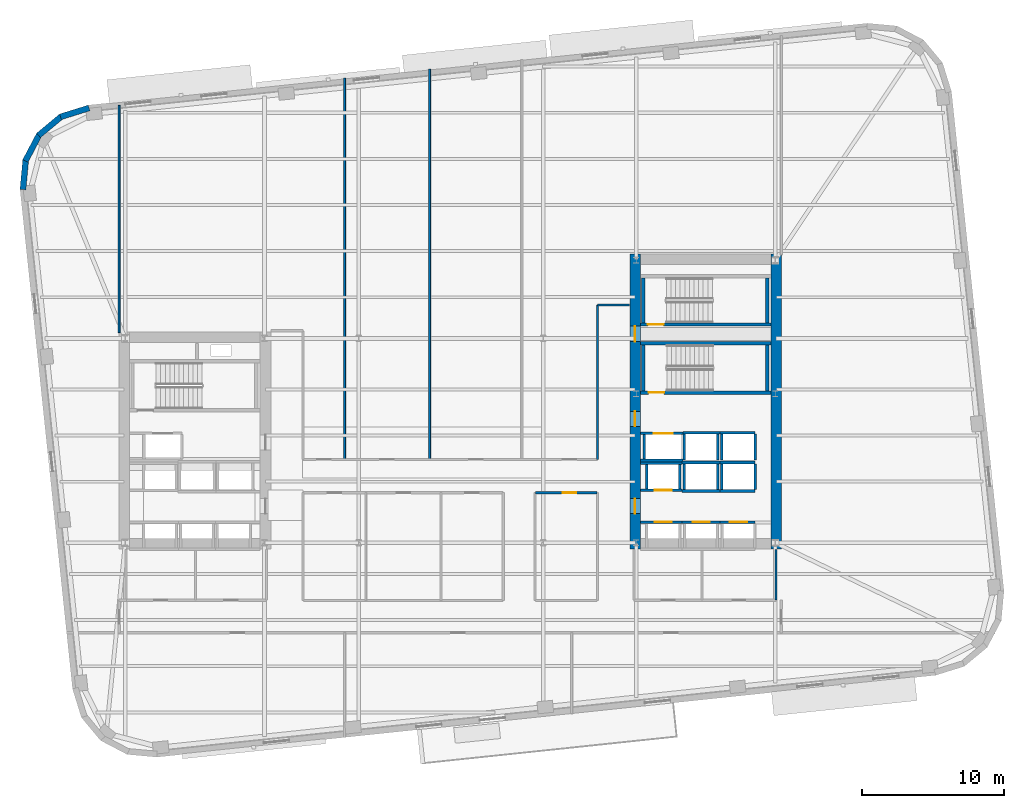
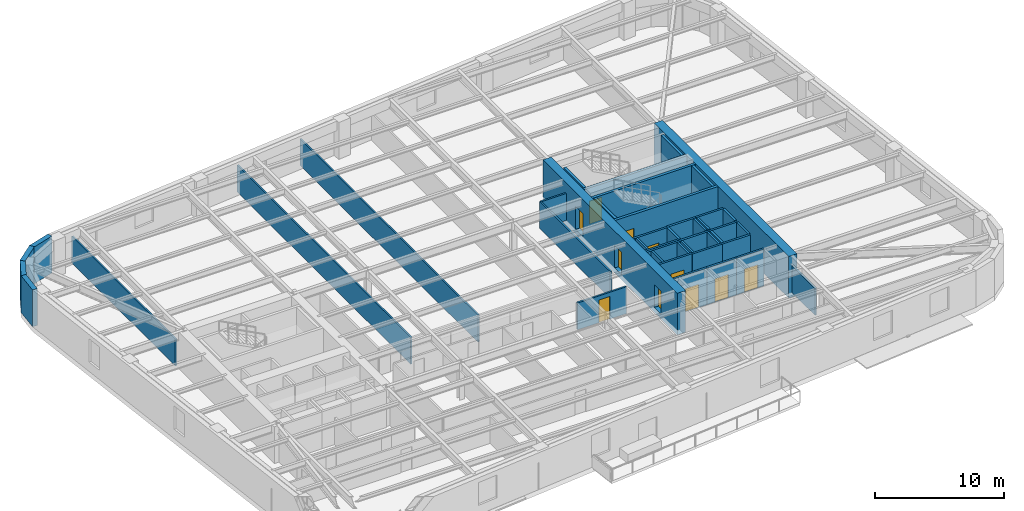
# One storey, part 6 of 11: 44 walls, 11 doors, 11 openings.
"""IFC4 building model written with IfcOpenShell, lengths in metres."""

from ifc_helpers import new_model, si_unit, direction, frame, frame_2d, origin, place, context, subcontext, project, spatial, rectangle, extrude, material, layer, layer_set, type_object, element, fill, save


model = new_model("IFC4")

# Units and contexts
model_context = context("Model", 3, precision=1e-05, world=origin(), true_north=direction((0.0, 1.0)))
body_context = subcontext(model_context, "Body", "Model", "MODEL_VIEW")
ifc_project = project(units=[si_unit("LENGTHUNIT", "METRE"), si_unit("AREAUNIT", "SQUARE_METRE"), si_unit("VOLUMEUNIT", "CUBIC_METRE"), si_unit("PLANEANGLEUNIT", "RADIAN"), si_unit("MASSUNIT", "GRAM", prefix="KILO")], contexts=[model_context])

# Site, building, storey
site_placement = place(None, origin())
site = spatial("IfcSite", under=ifc_project, at=site_placement, CompositionType="ELEMENT")
building_placement = place(site_placement, origin())
building = spatial("IfcBuilding", under=site, at=building_placement, Name="Kolvaren Arena Tower", CompositionType="ELEMENT")
storey_placement = place(building_placement, frame((0.0, 0.0, 99.699951171875)))
storey = spatial("IfcBuildingStorey", under=building, at=storey_placement, Name="L22", CompositionType="ELEMENT", Elevation=99.699951171875)

# Wall, opening, door
ifc_material_1 = material(Name="Gypsum board acoustic assembly", Category="gypsum")
ifc_layer_1 = layer(ifc_material_1, 0.159912109375)
ifc_layer_set_1 = layer_set([ifc_layer_1], Name="Gypsum board acoustic assembly")
wall_type_1 = type_object("IfcWallType", Name="CORR-160", PredefinedType="PARTITIONING", material=ifc_layer_set_1)
wall_1_placement = place(storey_placement, frame((43.43994140625, 22.97998046875, 0.0), z_axis=(0.0, 0.0, 1.0), x_axis=(1.0, 0.0, 0.0)))
wall_1 = element("IfcWall", 1, at=wall_1_placement, inside=storey, type_object=wall_type_1, Name="Interior Partition Wall (L22)", PredefinedType="PARTITIONING", context=body_context, shape_type="SweptSolid", body=[
    extrude(rectangle(XDim=4.360107421875, YDim=0.159912109375, at=frame_2d((2.18017578125, 0.0))), origin(), (0.0, 0.0, 1.0), 2.5400390625),
])
opening_1_placement = place(wall_1_placement, frame((1.93505859375, 0.0, 0.0)))
opening_1 = element("IfcOpeningElement", 2, at=opening_1_placement, cuts=wall_1, Name="Opening D05", PredefinedType="OPENING", context=body_context, shape_type="SweptSolid", body=[
    extrude(rectangle(XDim=0.949951171875, YDim=2.14990234375, at=frame_2d((0.47509765625, 1.074951171875))), frame((0.0, 0.08984375, 0.0), z_axis=(0.0, -1.0, 0.0), x_axis=(1.0, 0.0, 0.0)), (0.0, 0.0, 1.0), 0.179931640625),
])
ifc_material_2 = material(Name="Solid-core oak acoustic office door", Category="wood")
door_type_1 = type_object("IfcDoorType", Name="DOOR-OF-095", OperationType="NOTDEFINED", PredefinedType="DOOR", material=ifc_material_2)
door_1_placement = place(opening_1_placement, origin())
door_1 = element("IfcDoor", 3, at=door_1_placement, inside=storey, type_object=door_type_1, Name="Breakout Pantry and Kitchen Door (L22)", OperationType="SINGLE_SWING_RIGHT", OverallHeight=2.14990234375, OverallWidth=0.949951171875, PredefinedType="DOOR", context=body_context, shape_type="SweptSolid", body=[
    extrude(rectangle(XDim=0.949951171875, YDim=2.14990234375, at=frame_2d((0.47509765625, 1.074951171875))), frame((0.0, 0.02490234375, 0.0), z_axis=(0.0, -1.0, 0.0), x_axis=(1.0, 0.0, 0.0)), (0.0, 0.0, 1.0), 0.050048828125),
])
fill(opening_1, door_1)

# Walls
wall_2_placement = place(storey_placement, frame((47.820068359375, 25.320068359375, 0.0), z_axis=(0.0, 0.0, 1.0), x_axis=(0.0, 1.0, 0.0)))
element("IfcWall", 4, at=wall_2_placement, inside=storey, type_object=wall_type_1, Name="Interior Partition Wall (L22)", PredefinedType="PARTITIONING", context=body_context, shape_type="SweptSolid", body=[
    extrude(rectangle(XDim=10.8798828125, YDim=0.159912109375, at=frame_2d((5.43994140625, 0.0))), origin(), (0.0, 0.0, 1.0), 2.5400390625),
])
wall_3_placement = place(storey_placement, frame((47.820068359375, 36.199951171875, 0.0), z_axis=(0.0, 0.0, 1.0), x_axis=(1.0, 0.0, 0.0)))
element("IfcWall", 5, at=wall_3_placement, inside=storey, type_object=wall_type_1, Name="Interior Partition Wall (L22)", PredefinedType="PARTITIONING", context=body_context, shape_type="SweptSolid", body=[
    extrude(rectangle(XDim=2.260009765625, YDim=0.159912109375, at=frame_2d((1.1298828125, 0.0))), origin(), (0.0, 0.0, 1.0), 2.5400390625),
])

# Wall, openings, doors
ifc_material_3 = material(Name="Concrete 70 MPa", Category="concrete")
ifc_layer_2 = layer(ifc_material_3, 0.75)
ifc_layer_set_2 = layer_set([ifc_layer_2], Name="Concrete 70 MPa")
wall_type_2 = type_object("IfcWallType", Name="CWALL-750", PredefinedType="SHEAR", material=ifc_layer_set_2)
wall_4_placement = place(storey_placement, frame((50.47509765625, 19.0, -0.449951171875), z_axis=(0.0, 0.0, 1.0), x_axis=(0.0, 1.0, 0.0)))
wall_4 = element("IfcWall", 6, at=wall_4_placement, inside=storey, type_object=wall_type_2, Name="Core Shear Wall EC-WEST (L22)", PredefinedType="SHEAR", context=body_context, shape_type="SweptSolid", body=[
    extrude(rectangle(XDim=20.800048828125, YDim=0.75, at=frame_2d((10.39990234375, 0.0))), origin(), (0.0, 0.0, 1.0), 3.929931640625),
])
opening_2_placement = place(wall_4_placement, frame((2.5, 0.0, 0.449951171875)))
opening_2 = element("IfcOpeningElement", 7, at=opening_2_placement, cuts=wall_4, Name="Opening D04", PredefinedType="OPENING", context=body_context, shape_type="SweptSolid", body=[
    extrude(rectangle(XDim=1.050048828125, YDim=2.14990234375, at=frame_2d((0.52490234375, 1.074951171875))), frame((0.0, 0.385009765625, 0.0), z_axis=(0.0, -1.0, 0.0), x_axis=(1.0, 0.0, 0.0)), (0.0, 0.0, 1.0), 0.77001953125),
])
opening_3_placement = place(wall_4_placement, frame((8.64990234375, 0.0, 0.449951171875)))
opening_3 = element("IfcOpeningElement", 8, at=opening_3_placement, cuts=wall_4, Name="Opening D04", PredefinedType="OPENING", context=body_context, shape_type="SweptSolid", body=[
    extrude(rectangle(XDim=1.050048828125, YDim=2.14990234375, at=frame_2d((0.52490234375, 1.074951171875))), frame((0.0, 0.385009765625, 0.0), z_axis=(0.0, -1.0, 0.0), x_axis=(1.0, 0.0, 0.0)), (0.0, 0.0, 1.0), 0.77001953125),
])
opening_4_placement = place(wall_4_placement, frame((14.6201171875, 0.0, 0.449951171875)))
opening_4 = element("IfcOpeningElement", 9, at=opening_4_placement, cuts=wall_4, Name="Opening D03", PredefinedType="OPENING", context=body_context, shape_type="SweptSolid", body=[
    extrude(rectangle(XDim=1.10009765625, YDim=2.14990234375, at=frame_2d((0.550048828125, 1.074951171875))), frame((0.0, 0.385009765625, 0.0), z_axis=(0.0, -1.0, 0.0), x_axis=(1.0, 0.0, 0.0)), (0.0, 0.0, 1.0), 0.77001953125),
])
ifc_material_4 = material(Name="Fire-rated steel lobby door", Category="steel")
door_type_2 = type_object("IfcDoorType", Name="DOOR-FF-105", OperationType="NOTDEFINED", PredefinedType="DOOR", material=ifc_material_4)
door_2_placement = place(opening_2_placement, origin())
door_2 = element("IfcDoor", 10, at=door_2_placement, inside=storey, type_object=door_type_2, Name="East Lift Lobby Fire Door (L22)", OperationType="SINGLE_SWING_RIGHT", OverallHeight=2.14990234375, OverallWidth=1.050048828125, PredefinedType="DOOR", context=body_context, shape_type="SweptSolid", body=[
    extrude(rectangle(XDim=1.050048828125, YDim=2.14990234375, at=frame_2d((0.52490234375, 1.074951171875))), frame((0.0, 0.02490234375, 0.0), z_axis=(0.0, -1.0, 0.0), x_axis=(1.0, 0.0, 0.0)), (0.0, 0.0, 1.0), 0.050048828125),
])
fill(opening_2, door_2)
door_3_placement = place(opening_3_placement, origin())
door_3 = element("IfcDoor", 11, at=door_3_placement, inside=storey, type_object=door_type_2, Name="East Firefighter Vestibule Door (L22)", OperationType="SINGLE_SWING_LEFT", OverallHeight=2.14990234375, OverallWidth=1.050048828125, PredefinedType="DOOR", context=body_context, shape_type="SweptSolid", body=[
    extrude(rectangle(XDim=1.050048828125, YDim=2.14990234375, at=frame_2d((0.52490234375, 1.074951171875))), frame((0.0, 0.02490234375, 0.0), z_axis=(0.0, -1.0, 0.0), x_axis=(1.0, 0.0, 0.0)), (0.0, 0.0, 1.0), 0.050048828125),
])
fill(opening_3, door_3)
ifc_material_5 = material(Name="Fire-rated steel exit stair door", Category="steel")
door_type_3 = type_object("IfcDoorType", Name="DOOR-ST-110", OperationType="NOTDEFINED", PredefinedType="DOOR", material=ifc_material_5)
door_4_placement = place(opening_4_placement, origin())
door_4 = element("IfcDoor", 12, at=door_4_placement, inside=storey, type_object=door_type_3, Name="Stair ST-E2 Vestibule Fire Door (L22)", OperationType="SINGLE_SWING_LEFT", OverallHeight=2.14990234375, OverallWidth=1.10009765625, PredefinedType="DOOR", context=body_context, shape_type="SweptSolid", body=[
    extrude(rectangle(XDim=1.10009765625, YDim=2.14990234375, at=frame_2d((0.550048828125, 1.074951171875))), frame((0.0, 0.02490234375, 0.0), z_axis=(0.0, -1.0, 0.0), x_axis=(1.0, 0.0, 0.0)), (0.0, 0.0, 1.0), 0.050048828125),
])
fill(opening_4, door_4)

# Walls
wall_5_placement = place(storey_placement, frame((60.425048828125, 19.0, -0.449951171875), z_axis=(0.0, 0.0, 1.0), x_axis=(0.0, 1.0, 0.0)))
element("IfcWall", 13, at=wall_5_placement, inside=storey, type_object=wall_type_2, Name="Core Shear Wall EC-EAST (L22)", PredefinedType="SHEAR", context=body_context, shape_type="SweptSolid", body=[
    extrude(rectangle(XDim=20.800048828125, YDim=0.75, at=frame_2d((10.39990234375, 0.0))), origin(), (0.0, 0.0, 1.0), 3.929931640625),
])
ifc_material_6 = material(Name="Precast concrete C50/60", Category="concrete")
ifc_layer_3 = layer(ifc_material_6, 0.419921875)
ifc_layer_set_3 = layer_set([ifc_layer_3], Name="Precast concrete C50/60")
wall_type_3 = type_object("IfcWallType", Name="EXT-PIER1", PredefinedType="SOLIDWALL", material=ifc_layer_set_3)
wall_6_placement = place(storey_placement, frame((9.98681640625, 49.463134765625, 0.0), z_axis=(0.0, 0.0, 1.0), x_axis=(0.955016613791, 0.296552301261, 0.0)))
element("IfcWall", 14, at=wall_6_placement, inside=storey, type_object=wall_type_3, Name="Exterior Precast Masonry-Frame Wall (L22)", PredefinedType="SOLIDWALL", context=body_context, shape_type="SweptSolid", body=[
    extrude(rectangle(XDim=2.106689453125, YDim=0.419921875, at=frame_2d((1.05322265625, 0.0))), origin(), (0.0, 0.0, 1.0), 3.47998046875),
])
wall_7_placement = place(storey_placement, frame((8.438720703125, 48.15478515625, 0.0), z_axis=(0.0, 0.0, 1.0), x_axis=(0.768800317178, 0.639488914921, 0.0)))
element("IfcWall", 15, at=wall_7_placement, inside=storey, type_object=wall_type_3, Name="Exterior Precast Masonry-Frame Wall (L22)", PredefinedType="SOLIDWALL", context=body_context, shape_type="SweptSolid", body=[
    extrude(rectangle(XDim=2.10693359375, YDim=0.419921875, at=frame_2d((1.053466796875, 0.0))), origin(), (0.0, 0.0, 1.0), 3.47998046875),
])
wall_8_placement = place(storey_placement, frame((7.50927734375, 46.35400390625, 0.0), z_axis=(0.0, 0.0, 1.0), x_axis=(0.465612698516, 0.884988595961, 0.0)))
element("IfcWall", 16, at=wall_8_placement, inside=storey, type_object=wall_type_3, Name="Exterior Precast Masonry-Frame Wall (L22)", PredefinedType="SOLIDWALL", context=body_context, shape_type="SweptSolid", body=[
    extrude(rectangle(XDim=2.106689453125, YDim=0.419921875, at=frame_2d((1.05322265625, 0.0))), origin(), (0.0, 0.0, 1.0), 3.47998046875),
])
wall_9_placement = place(storey_placement, frame((7.339599609375, 44.33447265625, 0.0), z_axis=(0.0, 0.0, 1.0), x_axis=(0.091538655308, 0.995801523691, 0.0)))
element("IfcWall", 17, at=wall_9_placement, inside=storey, type_object=wall_type_3, Name="Exterior Precast Masonry-Frame Wall (L22)", PredefinedType="SOLIDWALL", context=body_context, shape_type="SweptSolid", body=[
    extrude(rectangle(XDim=2.10693359375, YDim=0.419921875, at=frame_2d((1.053466796875, 0.0))), origin(), (0.0, 0.0, 1.0), 3.47998046875),
])
ifc_material_7 = material(Name="Gypsum board partition assembly", Category="gypsum")
ifc_layer_4 = layer(ifc_material_7, 0.135009765625)
ifc_layer_set_4 = layer_set([ifc_layer_4], Name="Gypsum board partition assembly")
wall_type_4 = type_object("IfcWallType", Name="PART-135", PredefinedType="PARTITIONING", material=ifc_layer_set_4)
wall_10_placement = place(storey_placement, frame((30.0, 25.320068359375, 0.0), z_axis=(0.0, 0.0, 1.0), x_axis=(0.0, 1.0, 0.0)))
element("IfcWall", 18, at=wall_10_placement, inside=storey, type_object=wall_type_4, Name="Interior Partition Wall (L22)", PredefinedType="PARTITIONING", context=body_context, shape_type="SweptSolid", body=[
    extrude(rectangle(XDim=26.866943359375, YDim=0.135009765625, at=frame_2d((13.43359375, 0.0))), origin(), (0.0, 0.0, 1.0), 2.5400390625),
])
wall_11_placement = place(storey_placement, frame((36.0, 25.320068359375, 0.0), z_axis=(0.0, 0.0, 1.0), x_axis=(0.0, 1.0, 0.0)))
element("IfcWall", 19, at=wall_11_placement, inside=storey, type_object=wall_type_4, Name="Interior Partition Wall (L22)", PredefinedType="PARTITIONING", context=body_context, shape_type="SweptSolid", body=[
    extrude(rectangle(XDim=27.49755859375, YDim=0.135009765625, at=frame_2d((13.748779296875, 0.0))), origin(), (0.0, 0.0, 1.0), 2.5400390625),
])
wall_12_placement = place(storey_placement, frame((14.1201171875, 34.25, 0.0), z_axis=(0.0, 0.0, 1.0), x_axis=(0.0, 1.0, 0.0)))
element("IfcWall", 20, at=wall_12_placement, inside=storey, type_object=wall_type_4, Name="Interior Partition Wall (L22)", PredefinedType="PARTITIONING", context=body_context, shape_type="SweptSolid", body=[
    extrude(rectangle(XDim=16.026611328125, YDim=0.135009765625, at=frame_2d((8.01318359375, 0.0))), origin(), (0.0, 0.0, 1.0), 2.5400390625),
])

# Wall, opening, door
ifc_material_8 = material(Name="Concrete 45 MPa", Category="concrete")
ifc_layer_5 = layer(ifc_material_8, 0.25)
ifc_layer_set_5 = layer_set([ifc_layer_5], Name="Concrete 45 MPa")
wall_type_5 = type_object("IfcWallType", Name="SHAFT-250", PredefinedType="SOLIDWALL", material=ifc_layer_set_5)
wall_13_placement = place(storey_placement, frame((60.050048828125, 30.030029296875, 0.0), z_axis=(0.0, 0.0, 1.0), x_axis=(-1.0, 0.0, 0.0)))
wall_13 = element("IfcWall", 21, at=wall_13_placement, inside=storey, type_object=wall_type_5, Name="Core Shaft Wall (L22)", PredefinedType="SOLIDWALL", context=body_context, shape_type="SweptSolid", body=[
    extrude(rectangle(XDim=9.199951171875, YDim=0.239990234375, at=frame_2d((4.60009765625, 0.0))), origin(), (0.0, 0.0, 1.0), 3.47998046875),
])
opening_5_placement = place(wall_13_placement, frame((7.530029296875, 0.0, 0.0)))
opening_5 = element("IfcOpeningElement", 22, at=opening_5_placement, cuts=wall_13, Name="Opening D03", PredefinedType="OPENING", context=body_context, shape_type="SweptSolid", body=[
    extrude(rectangle(XDim=1.10009765625, YDim=2.14990234375, at=frame_2d((0.550048828125, 1.074951171875))), frame((0.0, 0.1298828125, 0.0), z_axis=(0.0, -1.0, 0.0), x_axis=(1.0, 0.0, 0.0)), (0.0, 0.0, 1.0), 0.260009765625),
])
door_5_placement = place(opening_5_placement, origin())
door_5 = element("IfcDoor", 23, at=door_5_placement, inside=storey, type_object=door_type_3, Name="Stair ST-E1 Fire Door (L22)", OperationType="SINGLE_SWING_LEFT", OverallHeight=2.14990234375, OverallWidth=1.10009765625, PredefinedType="DOOR", context=body_context, shape_type="SweptSolid", body=[
    extrude(rectangle(XDim=1.10009765625, YDim=2.14990234375, at=frame_2d((0.550048828125, 1.074951171875))), frame((0.0, 0.02490234375, 0.0), z_axis=(0.0, -1.0, 0.0), x_axis=(1.0, 0.0, 0.0)), (0.0, 0.0, 1.0), 0.050048828125),
])
fill(opening_5, door_5)

# Walls
wall_14_placement = place(storey_placement, frame((50.85009765625, 33.5, 0.0), z_axis=(0.0, 0.0, 1.0), x_axis=(1.0, 0.0, 0.0)))
element("IfcWall", 24, at=wall_14_placement, inside=storey, type_object=wall_type_5, Name="Core Shaft Wall (L22)", PredefinedType="SOLIDWALL", context=body_context, shape_type="SweptSolid", body=[
    extrude(rectangle(XDim=9.199951171875, YDim=0.239990234375, at=frame_2d((4.60009765625, 0.0))), origin(), (0.0, 0.0, 1.0), 3.47998046875),
])
for number, where, z_axis, x_axis, name in (
    (25, (51.06005859375, 30.14990234375, 0.0), (0.0, 0.0, 1.0), (0.0, 1.0, 0.0), "Core Shaft Wall (L22)"),
    (26, (59.780029296875, 30.14990234375, 0.0), (0.0, 0.0, 1.0), (0.0, 1.0, 0.0), "Core Shaft Wall (L22)"),
):
    element("IfcWall", number, at=place(storey_placement, frame(where, z_axis=z_axis, x_axis=x_axis)), inside=storey, type_object=wall_type_5, Name=name, PredefinedType="SOLIDWALL", context=body_context, shape_type="SweptSolid", body=[
        extrude(rectangle(XDim=3.22998046875, YDim=0.239990234375, at=frame_2d((1.614990234375, 0.0))), origin(), (0.0, 0.0, 1.0), 3.47998046875),
    ])

# Wall, opening, door
wall_15_placement = place(storey_placement, frame((60.050048828125, 34.830078125, 0.0), z_axis=(0.0, 0.0, 1.0), x_axis=(-1.0, 0.0, 0.0)))
wall_15 = element("IfcWall", 27, at=wall_15_placement, inside=storey, type_object=wall_type_5, Name="Core Shaft Wall (L22)", PredefinedType="SOLIDWALL", context=body_context, shape_type="SweptSolid", body=[
    extrude(rectangle(XDim=9.199951171875, YDim=0.239990234375, at=frame_2d((4.60009765625, 0.0))), origin(), (0.0, 0.0, 1.0), 3.47998046875),
])
opening_6_placement = place(wall_15_placement, frame((7.570068359375, 0.0, 0.0)))
opening_6 = element("IfcOpeningElement", 28, at=opening_6_placement, cuts=wall_15, Name="Opening D03", PredefinedType="OPENING", context=body_context, shape_type="SweptSolid", body=[
    extrude(rectangle(XDim=1.10009765625, YDim=2.14990234375, at=frame_2d((0.550048828125, 1.074951171875))), frame((0.0, 0.1298828125, 0.0), z_axis=(0.0, -1.0, 0.0), x_axis=(1.0, 0.0, 0.0)), (0.0, 0.0, 1.0), 0.260009765625),
])
door_6_placement = place(opening_6_placement, origin())
door_6 = element("IfcDoor", 29, at=door_6_placement, inside=storey, type_object=door_type_3, Name="Stair ST-E2 Fire Door (L22)", OperationType="SINGLE_SWING_LEFT", OverallHeight=2.14990234375, OverallWidth=1.10009765625, PredefinedType="DOOR", context=body_context, shape_type="SweptSolid", body=[
    extrude(rectangle(XDim=1.10009765625, YDim=2.14990234375, at=frame_2d((0.550048828125, 1.074951171875))), frame((0.0, 0.02490234375, 0.0), z_axis=(0.0, -1.0, 0.0), x_axis=(1.0, 0.0, 0.0)), (0.0, 0.0, 1.0), 0.050048828125),
])
fill(opening_6, door_6)

# Walls
for number, where, z_axis, x_axis, name in (
    (30, (51.06005859375, 34.949951171875, 0.0), (0.0, 0.0, 1.0), (0.0, 1.0, 0.0), "Core Shaft Wall (L22)"),
    (31, (59.780029296875, 34.949951171875, 0.0), (0.0, 0.0, 1.0), (0.0, 1.0, 0.0), "Core Shaft Wall (L22)"),
):
    element("IfcWall", number, at=place(storey_placement, frame(where, z_axis=z_axis, x_axis=x_axis)), inside=storey, type_object=wall_type_5, Name=name, PredefinedType="SOLIDWALL", context=body_context, shape_type="SweptSolid", body=[
        extrude(rectangle(XDim=3.150146484375, YDim=0.239990234375, at=frame_2d((1.5751953125, 0.0))), origin(), (0.0, 0.0, 1.0), 3.47998046875),
    ])

# Wall, opening, door
wall_16_placement = place(storey_placement, frame((50.85009765625, 20.905029296875, 0.0), z_axis=(0.0, 0.0, 1.0), x_axis=(1.0, 0.0, 0.0)))
wall_16 = element("IfcWall", 32, at=wall_16_placement, inside=storey, type_object=wall_type_5, Name="Core Shaft Wall (L22)", PredefinedType="SOLIDWALL", context=body_context, shape_type="SweptSolid", body=[
    extrude(rectangle(XDim=2.93994140625, YDim=0.179931640625, at=frame_2d((1.469970703125, 0.0))), origin(), (0.0, 0.0, 1.0), 3.47998046875),
])
opening_7_placement = place(wall_16_placement, frame((1.010009765625, 0.0, 0.0)))
opening_7 = element("IfcOpeningElement", 33, at=opening_7_placement, cuts=wall_16, Name="Opening LD1", PredefinedType="OPENING", context=body_context, shape_type="SweptSolid", body=[
    extrude(rectangle(XDim=1.199951171875, YDim=2.199951171875, at=frame_2d((0.60009765625, 1.10009765625))), frame((0.0, 0.099853515625, 0.0), z_axis=(0.0, -1.0, 0.0), x_axis=(1.0, 0.0, 0.0)), (0.0, 0.0, 1.0), 0.199951171875),
])
ifc_material_9 = material(Name="Stainless steel passenger lift landing door", Category="steel")
door_type_4 = type_object("IfcDoorType", Name="DOOR-LD-120", OperationType="DOUBLE_DOOR_SLIDING", PredefinedType="DOOR", material=ifc_material_9)
door_7_placement = place(opening_7_placement, origin())
door_7 = element("IfcDoor", 34, at=door_7_placement, inside=storey, type_object=door_type_4, Name="Lift EL-LR1 Landing Door (L22)", OperationType="DOUBLE_DOOR_SLIDING", OverallHeight=2.199951171875, OverallWidth=1.199951171875, PredefinedType="DOOR", context=body_context, shape_type="SweptSolid", body=[
    extrude(rectangle(XDim=1.199951171875, YDim=2.199951171875, at=frame_2d((0.60009765625, 1.10009765625))), frame((0.0, 0.02490234375, 0.0), z_axis=(0.0, -1.0, 0.0), x_axis=(1.0, 0.0, 0.0)), (0.0, 0.0, 1.0), 0.050048828125),
])
fill(opening_7, door_7)

wall_17_placement = place(storey_placement, frame((53.7900390625, 20.905029296875, 0.0), z_axis=(0.0, 0.0, 1.0), x_axis=(1.0, 0.0, 0.0)))
wall_17 = element("IfcWall", 35, at=wall_17_placement, inside=storey, type_object=wall_type_5, Name="Core Shaft Wall (L22)", PredefinedType="SOLIDWALL", context=body_context, shape_type="SweptSolid", body=[
    extrude(rectangle(XDim=2.64990234375, YDim=0.179931640625, at=frame_2d((1.324951171875, 0.0))), origin(), (0.0, 0.0, 1.0), 3.47998046875),
])
opening_8_placement = place(wall_17_placement, frame((0.72998046875, 0.0, 0.0)))
opening_8 = element("IfcOpeningElement", 36, at=opening_8_placement, cuts=wall_17, Name="Opening LD1", PredefinedType="OPENING", context=body_context, shape_type="SweptSolid", body=[
    extrude(rectangle(XDim=1.199951171875, YDim=2.199951171875, at=frame_2d((0.60009765625, 1.10009765625))), frame((0.0, 0.099853515625, 0.0), z_axis=(0.0, -1.0, 0.0), x_axis=(1.0, 0.0, 0.0)), (0.0, 0.0, 1.0), 0.199951171875),
])
door_8_placement = place(opening_8_placement, origin())
door_8 = element("IfcDoor", 37, at=door_8_placement, inside=storey, type_object=door_type_4, Name="Lift EL-LR2 Landing Door (L22)", OperationType="DOUBLE_DOOR_SLIDING", OverallHeight=2.199951171875, OverallWidth=1.199951171875, PredefinedType="DOOR", context=body_context, shape_type="SweptSolid", body=[
    extrude(rectangle(XDim=1.199951171875, YDim=2.199951171875, at=frame_2d((0.60009765625, 1.10009765625))), frame((0.0, 0.02490234375, 0.0), z_axis=(0.0, -1.0, 0.0), x_axis=(1.0, 0.0, 0.0)), (0.0, 0.0, 1.0), 0.050048828125),
])
fill(opening_8, door_8)

wall_18_placement = place(storey_placement, frame((56.43994140625, 20.905029296875, 0.0), z_axis=(0.0, 0.0, 1.0), x_axis=(1.0, 0.0, 0.0)))
wall_18 = element("IfcWall", 38, at=wall_18_placement, inside=storey, type_object=wall_type_5, Name="Core Shaft Wall (L22)", PredefinedType="SOLIDWALL", context=body_context, shape_type="SweptSolid", body=[
    extrude(rectangle(XDim=2.47509765625, YDim=0.179931640625, at=frame_2d((1.237548828125, 0.0))), origin(), (0.0, 0.0, 1.0), 3.47998046875),
])
opening_9_placement = place(wall_18_placement, frame((0.719970703125, 0.0, 0.0)))
opening_9 = element("IfcOpeningElement", 39, at=opening_9_placement, cuts=wall_18, Name="Opening LD1", PredefinedType="OPENING", context=body_context, shape_type="SweptSolid", body=[
    extrude(rectangle(XDim=1.199951171875, YDim=2.199951171875, at=frame_2d((0.60009765625, 1.10009765625))), frame((0.0, 0.099853515625, 0.0), z_axis=(0.0, -1.0, 0.0), x_axis=(1.0, 0.0, 0.0)), (0.0, 0.0, 1.0), 0.199951171875),
])
door_9_placement = place(opening_9_placement, origin())
door_9 = element("IfcDoor", 40, at=door_9_placement, inside=storey, type_object=door_type_4, Name="Lift EL-LR3 Landing Door (L22)", OperationType="DOUBLE_DOOR_SLIDING", OverallHeight=2.199951171875, OverallWidth=1.199951171875, PredefinedType="DOOR", context=body_context, shape_type="SweptSolid", body=[
    extrude(rectangle(XDim=1.199951171875, YDim=2.199951171875, at=frame_2d((0.60009765625, 1.10009765625))), frame((0.0, 0.02490234375, 0.0), z_axis=(0.0, -1.0, 0.0), x_axis=(1.0, 0.0, 0.0)), (0.0, 0.0, 1.0), 0.050048828125),
])
fill(opening_9, door_9)

# Wall
wall_19_placement = place(storey_placement, frame((50.85009765625, 25.054931640625, 0.0), z_axis=(0.0, 0.0, 1.0), x_axis=(1.0, 0.0, 0.0)))
element("IfcWall", 41, at=wall_19_placement, inside=storey, type_object=wall_type_5, Name="Core Shaft Wall (L22)", PredefinedType="SOLIDWALL", context=body_context, shape_type="SweptSolid", body=[
    extrude(rectangle(XDim=2.927490234375, YDim=0.179931640625, at=frame_2d((1.4638671875, 0.0))), origin(), (0.0, 0.0, 1.0), 3.47998046875),
])

# Wall, opening, door
wall_20_placement = place(storey_placement, frame((50.85009765625, 23.14501953125, 0.0), z_axis=(0.0, 0.0, 1.0), x_axis=(1.0, 0.0, 0.0)))
wall_20 = element("IfcWall", 42, at=wall_20_placement, inside=storey, type_object=wall_type_5, Name="Core Shaft Wall (L22)", PredefinedType="SOLIDWALL", context=body_context, shape_type="SweptSolid", body=[
    extrude(rectangle(XDim=2.927490234375, YDim=0.179931640625, at=frame_2d((1.4638671875, 0.0))), origin(), (0.0, 0.0, 1.0), 3.47998046875),
])
opening_10_placement = place(wall_20_placement, frame((1.010009765625, 0.0, 0.0)))
opening_10 = element("IfcOpeningElement", 43, at=opening_10_placement, cuts=wall_20, Name="Opening LD1", PredefinedType="OPENING", context=body_context, shape_type="SweptSolid", body=[
    extrude(rectangle(XDim=1.199951171875, YDim=2.199951171875, at=frame_2d((0.60009765625, 1.10009765625))), frame((0.0, 0.099853515625, 0.0), z_axis=(0.0, -1.0, 0.0), x_axis=(1.0, 0.0, 0.0)), (0.0, 0.0, 1.0), 0.199951171875),
])
door_10_placement = place(opening_10_placement, origin())
door_10 = element("IfcDoor", 44, at=door_10_placement, inside=storey, type_object=door_type_4, Name="Lift EL-LR4 Landing Door (L22)", OperationType="DOUBLE_DOOR_SLIDING", OverallHeight=2.199951171875, OverallWidth=1.199951171875, PredefinedType="DOOR", context=body_context, shape_type="SweptSolid", body=[
    extrude(rectangle(XDim=1.199951171875, YDim=2.199951171875, at=frame_2d((0.60009765625, 1.10009765625))), frame((0.0, 0.02490234375, 0.0), z_axis=(0.0, -1.0, 0.0), x_axis=(1.0, 0.0, 0.0)), (0.0, 0.0, 1.0), 0.050048828125),
])
fill(opening_10, door_10)

# Walls
for number, where, z_axis, x_axis, name in (
    (45, (51.304931640625, 23.235107421875, 0.0), (0.0, 0.0, 1.0), (0.0, 1.0, 0.0), "Core Shaft Wall (L22)"),
    (46, (53.614990234375, 23.235107421875, 0.0), (0.0, 0.0, 1.0), (0.0, 1.0, 0.0), "Core Shaft Wall (L22)"),
):
    element("IfcWall", number, at=place(storey_placement, frame(where, z_axis=z_axis, x_axis=x_axis)), inside=storey, type_object=wall_type_5, Name=name, PredefinedType="SOLIDWALL", context=body_context, shape_type="SweptSolid", body=[
        extrude(rectangle(XDim=1.72998046875, YDim=0.179931640625, at=frame_2d((0.864990234375, 0.0))), origin(), (0.0, 0.0, 1.0), 3.47998046875),
    ])
for number, where, z_axis, x_axis, name in (
    (47, (53.777587890625, 25.10498046875, 0.0), (0.0, 0.0, 1.0), (1.0, 0.0, 0.0), "Core Shaft Wall (L22)"),
    (48, (53.777587890625, 23.094970703125, 0.0), (0.0, 0.0, 1.0), (1.0, 0.0, 0.0), "Core Shaft Wall (L22)"),
):
    element("IfcWall", number, at=place(storey_placement, frame(where, z_axis=z_axis, x_axis=x_axis)), inside=storey, type_object=wall_type_5, Name=name, PredefinedType="SOLIDWALL", context=body_context, shape_type="SweptSolid", body=[
        extrude(rectangle(XDim=2.662353515625, YDim=0.179931640625, at=frame_2d((1.3310546875, 0.0))), origin(), (0.0, 0.0, 1.0), 3.47998046875),
    ])
for number, where, z_axis, x_axis, name in (
    (49, (53.93994140625, 23.18505859375, 0.0), (0.0, 0.0, 1.0), (0.0, 1.0, 0.0), "Core Shaft Wall (L22)"),
    (50, (56.300048828125, 23.18505859375, 0.0), (0.0, 0.0, 1.0), (0.0, 1.0, 0.0), "Core Shaft Wall (L22)"),
):
    element("IfcWall", number, at=place(storey_placement, frame(where, z_axis=z_axis, x_axis=x_axis)), inside=storey, type_object=wall_type_5, Name=name, PredefinedType="SOLIDWALL", context=body_context, shape_type="SweptSolid", body=[
        extrude(rectangle(XDim=1.829833984375, YDim=0.179931640625, at=frame_2d((0.9150390625, 0.0))), origin(), (0.0, 0.0, 1.0), 3.47998046875),
    ])
for number, where, z_axis, x_axis, name in (
    (51, (56.43994140625, 25.10498046875, 0.0), (0.0, 0.0, 1.0), (1.0, 0.0, 0.0), "Core Shaft Wall (L22)"),
    (52, (56.43994140625, 23.094970703125, 0.0), (0.0, 0.0, 1.0), (1.0, 0.0, 0.0), "Core Shaft Wall (L22)"),
):
    element("IfcWall", number, at=place(storey_placement, frame(where, z_axis=z_axis, x_axis=x_axis)), inside=storey, type_object=wall_type_5, Name=name, PredefinedType="SOLIDWALL", context=body_context, shape_type="SweptSolid", body=[
        extrude(rectangle(XDim=2.5, YDim=0.179931640625, at=frame_2d((1.25, 0.0))), origin(), (0.0, 0.0, 1.0), 3.47998046875),
    ])
for number, where, z_axis, x_axis, name in (
    (53, (56.580078125, 23.18505859375, 0.0), (0.0, 0.0, 1.0), (0.0, 1.0, 0.0), "Core Shaft Wall (L22)"),
    (54, (58.93994140625, 23.18505859375, 0.0), (0.0, 0.0, 1.0), (0.0, 1.0, 0.0), "Core Shaft Wall (L22)"),
):
    element("IfcWall", number, at=place(storey_placement, frame(where, z_axis=z_axis, x_axis=x_axis)), inside=storey, type_object=wall_type_5, Name=name, PredefinedType="SOLIDWALL", context=body_context, shape_type="SweptSolid", body=[
        extrude(rectangle(XDim=1.829833984375, YDim=0.179931640625, at=frame_2d((0.9150390625, 0.0))), origin(), (0.0, 0.0, 1.0), 3.47998046875),
    ])
wall_21_placement = place(storey_placement, frame((53.864990234375, 27.205078125, 0.0), z_axis=(0.0, 0.0, 1.0), x_axis=(1.0, 0.0, 0.0)))
element("IfcWall", 55, at=wall_21_placement, inside=storey, type_object=wall_type_5, Name="Core Shaft Wall (L22)", PredefinedType="SOLIDWALL", context=body_context, shape_type="SweptSolid", body=[
    extrude(rectangle(XDim=2.574951171875, YDim=0.179931640625, at=frame_2d((1.28759765625, 0.0))), origin(), (0.0, 0.0, 1.0), 3.47998046875),
])
for number, where, z_axis, x_axis, name in (
    (56, (53.93994140625, 25.284912109375, 0.0), (0.0, 0.0, 1.0), (0.0, 1.0, 0.0), "Core Shaft Wall (L22)"),
    (57, (56.300048828125, 25.284912109375, 0.0), (0.0, 0.0, 1.0), (0.0, 1.0, 0.0), "Core Shaft Wall (L22)"),
):
    element("IfcWall", number, at=place(storey_placement, frame(where, z_axis=z_axis, x_axis=x_axis)), inside=storey, type_object=wall_type_5, Name=name, PredefinedType="SOLIDWALL", context=body_context, shape_type="SweptSolid", body=[
        extrude(rectangle(XDim=1.830078125, YDim=0.179931640625, at=frame_2d((0.9150390625, 0.0))), origin(), (0.0, 0.0, 1.0), 3.47998046875),
    ])
wall_22_placement = place(storey_placement, frame((56.43994140625, 27.205078125, 0.0), z_axis=(0.0, 0.0, 1.0), x_axis=(1.0, 0.0, 0.0)))
element("IfcWall", 58, at=wall_22_placement, inside=storey, type_object=wall_type_5, Name="Core Shaft Wall (L22)", PredefinedType="SOLIDWALL", context=body_context, shape_type="SweptSolid", body=[
    extrude(rectangle(XDim=2.5, YDim=0.179931640625, at=frame_2d((1.25, 0.0))), origin(), (0.0, 0.0, 1.0), 3.47998046875),
])
for number, where, z_axis, x_axis, name in (
    (59, (56.580078125, 25.284912109375, 0.0), (0.0, 0.0, 1.0), (0.0, 1.0, 0.0), "Core Shaft Wall (L22)"),
    (60, (58.93994140625, 25.284912109375, 0.0), (0.0, 0.0, 1.0), (0.0, 1.0, 0.0), "Core Shaft Wall (L22)"),
):
    element("IfcWall", number, at=place(storey_placement, frame(where, z_axis=z_axis, x_axis=x_axis)), inside=storey, type_object=wall_type_5, Name=name, PredefinedType="SOLIDWALL", context=body_context, shape_type="SweptSolid", body=[
        extrude(rectangle(XDim=1.830078125, YDim=0.179931640625, at=frame_2d((0.9150390625, 0.0))), origin(), (0.0, 0.0, 1.0), 3.47998046875),
    ])

# Wall, opening, door
wall_23_placement = place(storey_placement, frame((50.85009765625, 27.155029296875, 0.0), z_axis=(0.0, 0.0, 1.0), x_axis=(1.0, 0.0, 0.0)))
wall_23 = element("IfcWall", 61, at=wall_23_placement, inside=storey, type_object=wall_type_5, Name="Core Shaft Wall (L22)", PredefinedType="SOLIDWALL", context=body_context, shape_type="SweptSolid", body=[
    extrude(rectangle(XDim=3.014892578125, YDim=0.179931640625, at=frame_2d((1.50732421875, 0.0))), origin(), (0.0, 0.0, 1.0), 3.47998046875),
])
opening_11_placement = place(wall_23_placement, frame((0.93505859375, 0.0, 0.0)))
opening_11 = element("IfcOpeningElement", 62, at=opening_11_placement, cuts=wall_23, Name="Opening LD2", PredefinedType="OPENING", context=body_context, shape_type="SweptSolid", body=[
    extrude(rectangle(XDim=1.35009765625, YDim=2.300048828125, at=frame_2d((0.675048828125, 1.14990234375))), frame((0.0, 0.099853515625, 0.0), z_axis=(0.0, -1.0, 0.0), x_axis=(1.0, 0.0, 0.0)), (0.0, 0.0, 1.0), 0.199951171875),
])
ifc_material_10 = material(Name="Stainless steel firefighter lift landing door", Category="steel")
door_type_5 = type_object("IfcDoorType", Name="DOOR-LD-135", OperationType="DOUBLE_DOOR_SLIDING", PredefinedType="DOOR", material=ifc_material_10)
door_11_placement = place(opening_11_placement, origin())
door_11 = element("IfcDoor", 63, at=door_11_placement, inside=storey, type_object=door_type_5, Name="Firefighter Lift FF-E1 Landing Door (L22)", OperationType="DOUBLE_DOOR_SLIDING", OverallHeight=2.300048828125, OverallWidth=1.35009765625, PredefinedType="DOOR", context=body_context, shape_type="SweptSolid", body=[
    extrude(rectangle(XDim=1.35009765625, YDim=2.300048828125, at=frame_2d((0.675048828125, 1.14990234375))), frame((0.0, 0.02490234375, 0.0), z_axis=(0.0, -1.0, 0.0), x_axis=(1.0, 0.0, 0.0)), (0.0, 0.0, 1.0), 0.050048828125),
])
fill(opening_11, door_11)

# Walls
wall_24_placement = place(storey_placement, frame((50.85009765625, 25.2451171875, 0.0), z_axis=(0.0, 0.0, 1.0), x_axis=(1.0, 0.0, 0.0)))
element("IfcWall", 64, at=wall_24_placement, inside=storey, type_object=wall_type_5, Name="Core Shaft Wall (L22)", PredefinedType="SOLIDWALL", context=body_context, shape_type="SweptSolid", body=[
    extrude(rectangle(XDim=3.014892578125, YDim=0.179931640625, at=frame_2d((1.50732421875, 0.0))), origin(), (0.0, 0.0, 1.0), 3.47998046875),
])
wall_25_placement = place(storey_placement, frame((51.1298828125, 25.3349609375, 0.0), z_axis=(0.0, 0.0, 1.0), x_axis=(0.0, 1.0, 0.0)))
element("IfcWall", 65, at=wall_25_placement, inside=storey, type_object=wall_type_5, Name="Core Shaft Wall (L22)", PredefinedType="SOLIDWALL", context=body_context, shape_type="SweptSolid", body=[
    extrude(rectangle(XDim=1.72998046875, YDim=0.179931640625, at=frame_2d((0.864990234375, 0.0))), origin(), (0.0, 0.0, 1.0), 3.47998046875),
])
ifc_material_11 = material(Name="Moisture-resistant gypsum assembly", Category="gypsum")
ifc_layer_6 = layer(ifc_material_11, 0.14990234375)
ifc_layer_set_6 = layer_set([ifc_layer_6], Name="Moisture-resistant gypsum assembly")
wall_type_6 = type_object("IfcWallType", Name="WETW-150", PredefinedType="PARTITIONING", material=ifc_layer_set_6)
wall_26_placement = place(storey_placement, frame((60.39990234375, 15.39990234375, 0.0), z_axis=(0.0, 0.0, 1.0), x_axis=(0.0, 1.0, 0.0)))
element("IfcWall", 66, at=wall_26_placement, inside=storey, type_object=wall_type_6, Name="Interior Partition Wall (L22)", PredefinedType="PARTITIONING", context=body_context, shape_type="SweptSolid", body=[
    extrude(rectangle(XDim=3.580078125, YDim=0.14990234375, at=frame_2d((1.7900390625, 0.0))), origin(), (0.0, 0.0, 1.0), 2.5400390625),
])

save(model, "model.ifc")
